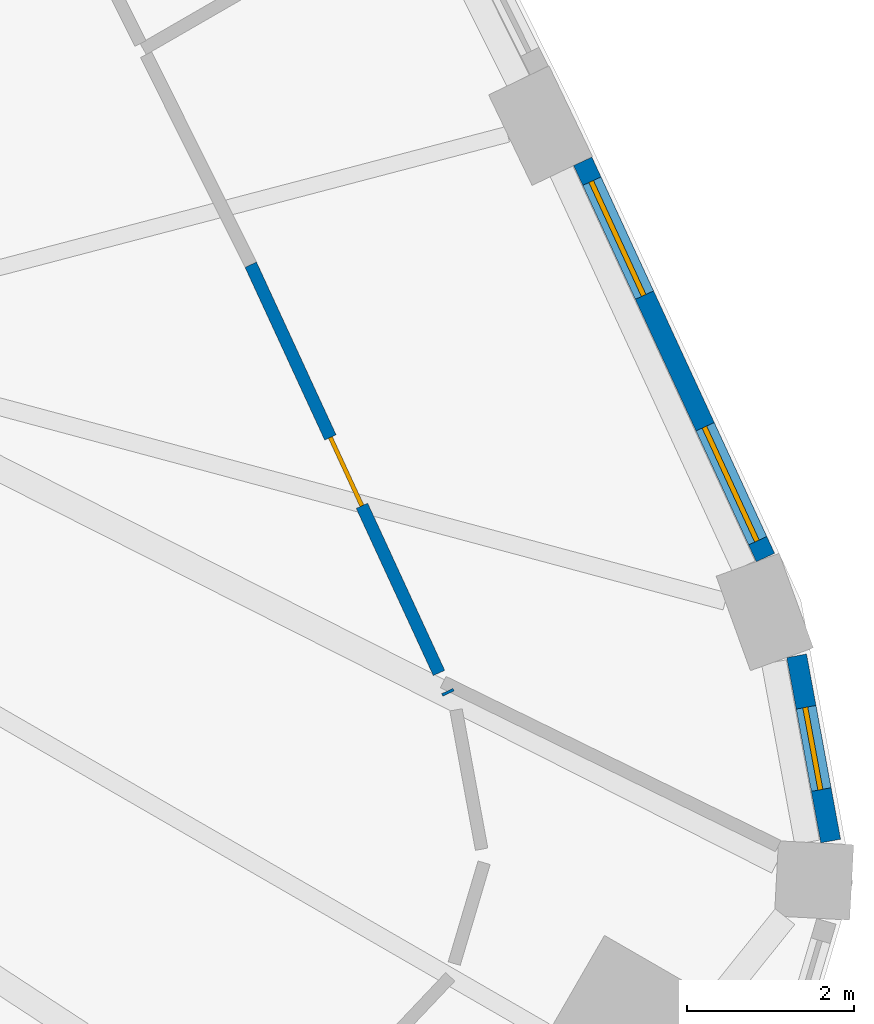
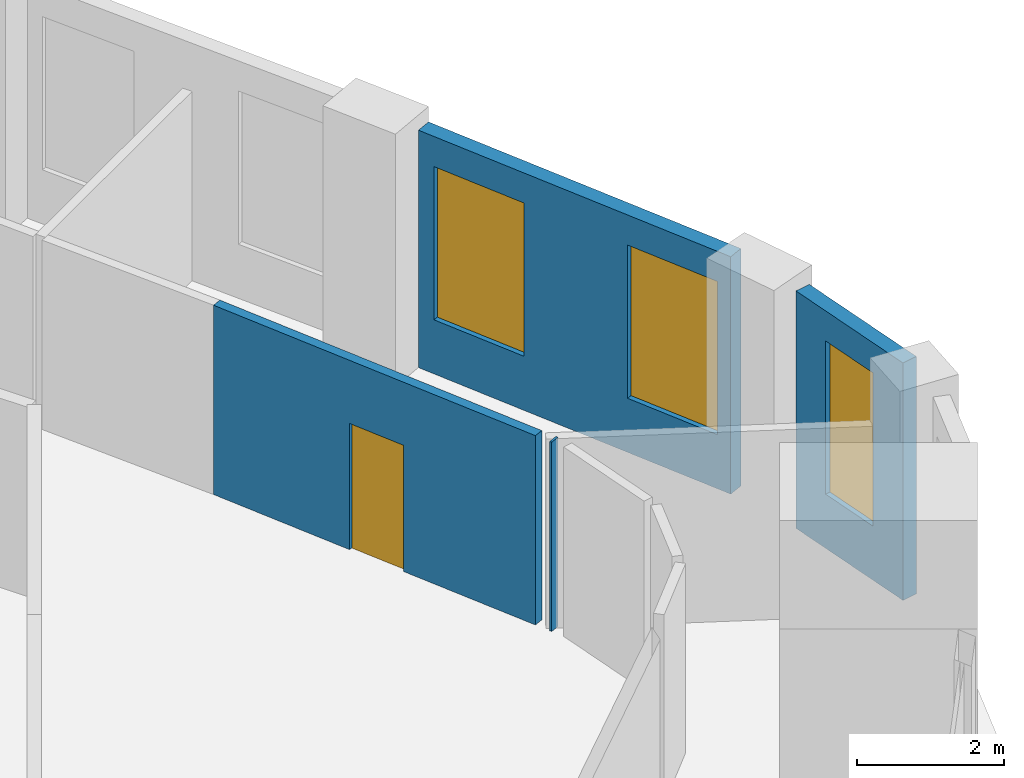
# One storey, part 7 of 11: 4 walls, 3 windows, 1 door, 4 openings.
"""IFC4 building model written with IfcOpenShell, lengths in metres."""

from ifc_helpers import new_model, si_unit, direction, frame, frame_2d, origin, place, context, subcontext, project, spatial, rectangle, extrude, material, layer, layer_set, type_object, element, fill, save


model = new_model("IFC4")

# Units and contexts
model_context = context("Model", 3, precision=1e-05, world=origin(), true_north=direction((0.0, 1.0)))
body_context = subcontext(model_context, "Body", "Model", "MODEL_VIEW")
ifc_project = project(units=[si_unit("LENGTHUNIT", "METRE"), si_unit("AREAUNIT", "SQUARE_METRE"), si_unit("VOLUMEUNIT", "CUBIC_METRE"), si_unit("PLANEANGLEUNIT", "RADIAN"), si_unit("MASSUNIT", "GRAM", prefix="KILO")], contexts=[model_context])

# Site, building, storey
site_placement = place(None, origin())
site = spatial("IfcSite", under=ifc_project, at=site_placement, CompositionType="ELEMENT")
building_placement = place(site_placement, origin())
building = spatial("IfcBuilding", under=site, at=building_placement, Name="Mestral Congress Tower", CompositionType="ELEMENT")
storey_placement = place(building_placement, frame((0.0, 0.0, 166.800048828125)))
storey = spatial("IfcBuildingStorey", under=building, at=storey_placement, Name="L39", CompositionType="ELEMENT", Elevation=166.800048828125)

# Wall, opening, window
ifc_material_1 = material(Name="Precast concrete C40/50 with limestone facing", Category="masonry")
ifc_layer_1 = layer(ifc_material_1, 0.239990234375)
ifc_layer_set_1 = layer_set([ifc_layer_1], Name="Precast concrete C40/50 with limestone facing")
wall_type_1 = type_object("IfcWallType", Name="Facade stone wall 240", PredefinedType="SOLIDWALL", material=ifc_layer_set_1)
wall_1_placement = place(storey_placement, frame((28.79931640625, -12.380126953125, 0.0), z_axis=(0.0, 0.0, 1.0), x_axis=(-0.180737189259, 0.983531427265, 0.0)))
wall_1 = element("IfcWall", 1, at=wall_1_placement, inside=storey, type_object=wall_type_1, Name="Facade wall K0-3", PredefinedType="SOLIDWALL", context=body_context, shape_type="SweptSolid", body=[
    extrude(rectangle(XDim=2.25048828125, YDim=0.239990234375, at=frame_2d((1.125244140625, 0.0))), origin(), (0.0, 0.0, 1.0), 3.949951171875),
])
opening_1_placement = place(wall_1_placement, frame((0.625244140625, 0.0, 0.89990234375)))
opening_1 = element("IfcOpeningElement", 2, at=opening_1_placement, cuts=wall_1, Name="Opening W5", PredefinedType="OPENING", context=body_context, shape_type="SweptSolid", body=[
    extrude(rectangle(XDim=1.0, YDim=2.550048828125, at=frame_2d((0.5, 1.27490234375))), frame((0.0, 0.1298828125, 0.0), z_axis=(0.0, -1.0, 0.0), x_axis=(1.0, 0.0, 0.0)), (0.0, 0.0, 1.0), 0.260009765625),
])
ifc_material_2 = material(Name="Clear low-emissivity double glazing", Category="glass")
window_type_1 = type_object("IfcWindowType", Name="Facade punched window 1000 x 2550 sill 900", PartitioningType="SINGLE_PANEL", PredefinedType="WINDOW", material=ifc_material_2)
window_1_placement = place(opening_1_placement, origin())
window_1 = element("IfcWindow", 3, at=window_1_placement, inside=storey, type_object=window_type_1, Name="Window K0-3", OverallHeight=2.550048828125, OverallWidth=1.0, PartitioningType="SINGLE_PANEL", PredefinedType="WINDOW", context=body_context, shape_type="SweptSolid", body=[
    extrude(rectangle(XDim=1.0, YDim=2.550048828125, at=frame_2d((0.5, 1.27490234375))), frame((0.0, 0.0400390625, 0.0), z_axis=(0.0, -1.0, 0.0), x_axis=(1.0, 0.0, 0.0)), (0.0, 0.0, 1.0), 0.06005859375),
])
fill(opening_1, window_1)

# Wall, openings, windows
wall_2_placement = place(storey_placement, frame((28.019775390625, -8.991943359375, 0.0), z_axis=(0.0, 0.0, 1.0), x_axis=(-0.418722559465, 0.908114209885, 0.0)))
wall_2 = element("IfcWall", 4, at=wall_2_placement, inside=storey, type_object=wall_type_1, Name="Facade wall F1-00", PredefinedType="SOLIDWALL", context=body_context, shape_type="SweptSolid", body=[
    extrude(rectangle(XDim=5.213134765625, YDim=0.239990234375, at=frame_2d((2.6064453125, 0.0))), origin(), (0.0, 0.0, 1.0), 3.949951171875),
])
opening_2_placement = place(wall_2_placement, frame((0.220947265625, 0.0, 0.89990234375)))
opening_2 = element("IfcOpeningElement", 5, at=opening_2_placement, cuts=wall_2, Name="Opening W4", PredefinedType="OPENING", context=body_context, shape_type="SweptSolid", body=[
    extrude(rectangle(XDim=1.5, YDim=2.550048828125, at=frame_2d((0.75, 1.27490234375))), frame((0.0, 0.1298828125, 0.0), z_axis=(0.0, -1.0, 0.0), x_axis=(1.0, 0.0, 0.0)), (0.0, 0.0, 1.0), 0.260009765625),
])
opening_3_placement = place(wall_2_placement, frame((3.452392578125, 0.0, 0.89990234375)))
opening_3 = element("IfcOpeningElement", 6, at=opening_3_placement, cuts=wall_2, Name="Opening W4", PredefinedType="OPENING", context=body_context, shape_type="SweptSolid", body=[
    extrude(rectangle(XDim=1.5, YDim=2.550048828125, at=frame_2d((0.75, 1.27490234375))), frame((0.0, 0.1298828125, 0.0), z_axis=(0.0, -1.0, 0.0), x_axis=(1.0, 0.0, 0.0)), (0.0, 0.0, 1.0), 0.260009765625),
])
window_type_2 = type_object("IfcWindowType", Name="Facade punched window 1500 x 2550 sill 900", PartitioningType="SINGLE_PANEL", PredefinedType="WINDOW", material=ifc_material_2)
window_2_placement = place(opening_2_placement, origin())
window_2 = element("IfcWindow", 7, at=window_2_placement, inside=storey, type_object=window_type_2, Name="Window F1-00a", OverallHeight=2.550048828125, OverallWidth=1.5, PartitioningType="SINGLE_PANEL", PredefinedType="WINDOW", context=body_context, shape_type="SweptSolid", body=[
    extrude(rectangle(XDim=1.5, YDim=2.550048828125, at=frame_2d((0.75, 1.27490234375))), frame((0.0, 0.0400390625, 0.0), z_axis=(0.0, -1.0, 0.0), x_axis=(1.0, 0.0, 0.0)), (0.0, 0.0, 1.0), 0.06005859375),
])
fill(opening_2, window_2)
window_3_placement = place(opening_3_placement, origin())
window_3 = element("IfcWindow", 8, at=window_3_placement, inside=storey, type_object=window_type_2, Name="Window F1-00b", OverallHeight=2.550048828125, OverallWidth=1.5, PartitioningType="SINGLE_PANEL", PredefinedType="WINDOW", context=body_context, shape_type="SweptSolid", body=[
    extrude(rectangle(XDim=1.5, YDim=2.550048828125, at=frame_2d((0.75, 1.27490234375))), frame((0.0, 0.0400390625, 0.0), z_axis=(0.0, -1.0, 0.0), x_axis=(1.0, 0.0, 0.0)), (0.0, 0.0, 1.0), 0.06005859375),
])
fill(opening_3, window_3)

# Wall
ifc_material_3 = material(Name="Plasterboard partition on steel studs", Category="steel")
ifc_layer_2 = layer(ifc_material_3, 0.14990234375)
ifc_layer_set_2 = layer_set([ifc_layer_2], Name="Plasterboard partition on steel studs")
wall_type_2 = type_object("IfcWallType", Name="Office partition 150", PredefinedType="PARTITIONING", material=ifc_layer_set_2)
wall_3_placement = place(storey_placement, frame((24.232666015625, -10.617919921875, 0.0), z_axis=(0.0, 0.0, 1.0), x_axis=(-0.423685108901, 0.905809543169, 0.0)))
element("IfcWall", 9, at=wall_3_placement, inside=storey, type_object=wall_type_2, Name="Partition", PredefinedType="PARTITIONING", context=body_context, shape_type="SweptSolid", body=[
    extrude(rectangle(XDim=0.033447265625, YDim=0.14990234375, at=frame_2d((0.0166015625, 0.0))), origin(), (0.0, 0.0, 1.0), 3.14990234375),
])

# Wall, opening, door
wall_4_placement = place(storey_placement, frame((21.869384765625, -5.492919921875, 0.0), z_axis=(0.0, 0.0, 1.0), x_axis=(0.4187440514, -0.908104299856, 0.0)))
wall_4 = element("IfcWall", 10, at=wall_4_placement, inside=storey, type_object=wall_type_2, Name="Partition", PredefinedType="PARTITIONING", context=body_context, shape_type="SweptSolid", body=[
    extrude(rectangle(XDim=5.37255859375, YDim=0.14990234375, at=frame_2d((2.686279296875, 0.0))), origin(), (0.0, 0.0, 1.0), 3.14990234375),
])
opening_4_placement = place(wall_4_placement, frame((2.272705078125, 0.0, 0.0)))
opening_4 = element("IfcOpeningElement", 11, at=opening_4_placement, cuts=wall_4, Name="Opening O03-005", PredefinedType="OPENING", context=body_context, shape_type="SweptSolid", body=[
    extrude(rectangle(XDim=0.89990234375, YDim=2.10009765625, at=frame_2d((0.449951171875, 1.050048828125))), frame((0.0, 0.0849609375, 0.0), z_axis=(0.0, -1.0, 0.0), x_axis=(1.0, 0.0, 0.0)), (0.0, 0.0, 1.0), 0.169921875),
])
ifc_material_4 = material(Name="Timber door set", Category="wood")
door_type = type_object("IfcDoorType", Name="Office door 900x2100", OperationType="SINGLE_SWING_LEFT", PredefinedType="DOOR", material=ifc_material_4)
door_placement = place(opening_4_placement, origin())
door = element("IfcDoor", 12, at=door_placement, inside=storey, type_object=door_type, Name="Door O03-005", OperationType="SINGLE_SWING_RIGHT", OverallHeight=2.10009765625, OverallWidth=0.89990234375, PredefinedType="DOOR", context=body_context, shape_type="SweptSolid", body=[
    extrude(rectangle(XDim=0.89990234375, YDim=2.10009765625, at=frame_2d((0.449951171875, 1.050048828125))), frame((0.0, 0.02490234375, 0.0), z_axis=(0.0, -1.0, 0.0), x_axis=(1.0, 0.0, 0.0)), (0.0, 0.0, 1.0), 0.050048828125),
])
fill(opening_4, door)

save(model, "model.ifc")
